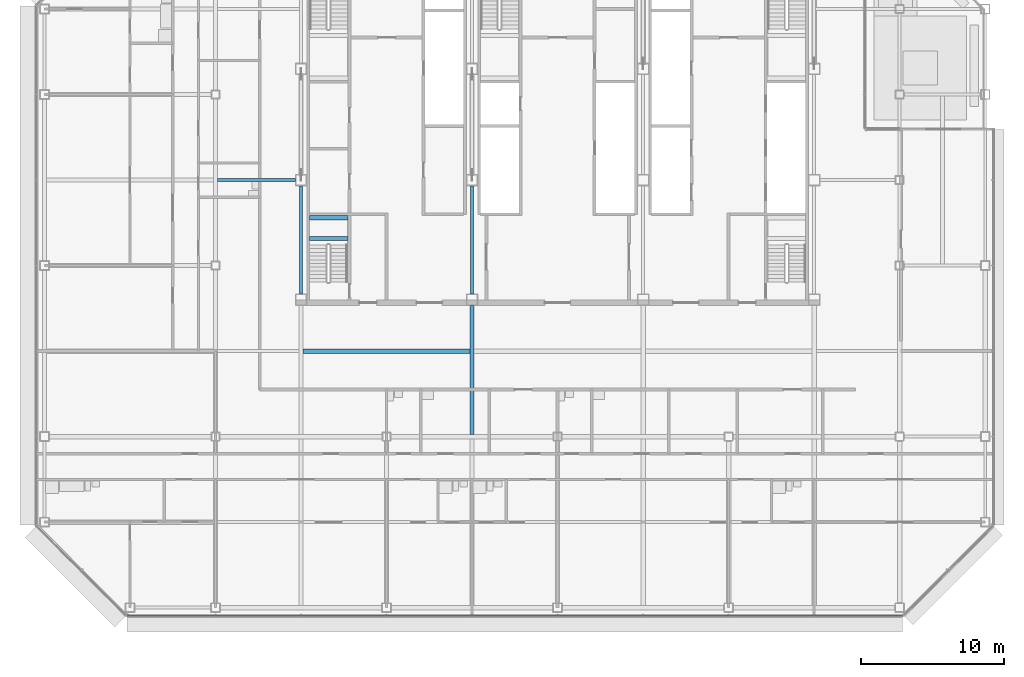
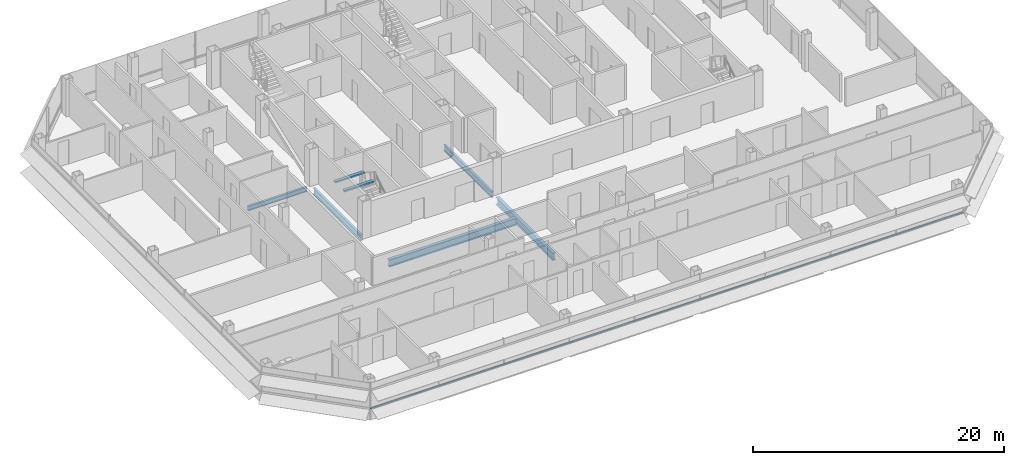
# One storey, part 7 of 29: 7 beams, 1 member, 1 element without a shape of its own.
"""IFC4 building model written with IfcOpenShell, lengths in metres."""

from ifc_helpers import new_model, si_unit, direction, frame, origin, origin_2d, place, context, subcontext, project, spatial, rectangle, i_section, extrude, material, material_profile, profile_set, type_object, element, aggregate, save


model = new_model("IFC4")

# Units and contexts
model_context = context("Model", 3, precision=1e-05, world=origin(), true_north=direction((0.0, 1.0)))
body_context = subcontext(model_context, "Body", "Model", "MODEL_VIEW")
ifc_project = project(units=[si_unit("LENGTHUNIT", "METRE"), si_unit("AREAUNIT", "SQUARE_METRE"), si_unit("VOLUMEUNIT", "CUBIC_METRE"), si_unit("PLANEANGLEUNIT", "RADIAN"), si_unit("MASSUNIT", "GRAM", prefix="KILO")], contexts=[model_context])

# Site, building, storey
site_placement = place(None, origin())
site = spatial("IfcSite", under=ifc_project, at=site_placement, CompositionType="ELEMENT")
building_placement = place(site_placement, origin())
building = spatial("IfcBuilding", under=site, at=building_placement, Name="Sorahane Residences", CompositionType="ELEMENT")
storey_placement = place(building_placement, frame((0.0, 0.0, 199.199951171875)))
storey = spatial("IfcBuildingStorey", under=building, at=storey_placement, Name="L46", CompositionType="ELEMENT", Elevation=199.199951171875)

# Curtain wall, member
ifc_material_1 = material(Name="Dark low-e glass and black anodised aluminium", Category="aluminium")
curtain_wall_type = type_object("IfcCurtainWallType", Name="Curtain wall CW-1 Typical unitised wall", PredefinedType="NOTDEFINED", material=ifc_material_1)
curtain_wall_placement = place(storey_placement, origin())
curtain_wall = element("IfcCurtainWall", 1, at=curtain_wall_placement, inside=storey, type_object=curtain_wall_type, Name="CW-1 curtain wall L46 S1", PredefinedType="NOTDEFINED")
ifc_material_2 = material(Name="Black anodised aluminium", Category="aluminium")
ifc_material_profile_1 = material_profile(ifc_material_2, rectangle(XDim=0.10009765625, YDim=0.06005859375, at=origin_2d()), Name="Curtain wall transom CW-1 black anodised aluminium 60x100")
ifc_profile_set_1 = profile_set([ifc_material_profile_1], Name="Black anodised aluminium")
member_type = type_object("IfcMemberType", Name="Curtain wall transom CW-1 black anodised aluminium 60x100", PredefinedType="USERDEFINED", material=ifc_profile_set_1)
member_placement = place(storey_placement, frame((-6.198486328125, -0.530029296875, 0.900146484375), z_axis=(1.0, 0.0, 0.0), x_axis=(0.0, 1.0, 0.0)))
member = element("IfcMember", 2, at=member_placement, type_object=member_type, Name="CW-1 transom L46 S1", ObjectType="TRANSOM", PredefinedType="USERDEFINED", context=body_context, shape_type="SweptSolid", body=[
    extrude(rectangle(XDim=0.10009765625, YDim=0.06005859375, at=origin_2d()), origin(), (0.0, 0.0, 1.0), 54.39697265625),
])
aggregate(curtain_wall, [member])

# Beams
ifc_material_3 = material(Name="Concrete C40", Category="concrete")
ifc_material_profile_2 = material_profile(ifc_material_3, rectangle(XDim=0.300048828125, YDim=0.139892578125, at=origin_2d()), Name="300x140")
ifc_profile_set_2 = profile_set([ifc_material_profile_2], Name="Concrete C40")
beam_type_1 = type_object("IfcBeamType", Name="RC landing beam 300 x 140 Concrete C40", PredefinedType="BEAM", material=ifc_profile_set_2)
for number, where, z_axis, x_axis, name in (
    (3, (6.60009765625, 25.89990234375, 1.530029296875), (1.0, 0.0, 0.0), (0.0, 1.0, 0.0), "Landing beam"),
    (4, (6.60009765625, 27.35009765625, 1.530029296875), (1.0, 0.0, 0.0), (0.0, 1.0, 0.0), "Landing beam"),
):
    element("IfcBeam", number, at=place(storey_placement, frame(where, z_axis=z_axis, x_axis=x_axis)), inside=storey, type_object=beam_type_1, Name=name, PredefinedType="BEAM", context=body_context, shape_type="SweptSolid", body=[
        extrude(rectangle(XDim=0.300048828125, YDim=0.139892578125, at=origin_2d()), origin(), (0.0, 0.0, 1.0), 2.699951171875),
    ])
ifc_material_4 = material(Name="Steel Q355B", Category="steel")
ifc_material_profile_3 = material_profile(ifc_material_4, i_section(OverallWidth=0.199951171875, OverallDepth=0.449951171875, WebThickness=0.009033203125, FlangeThickness=0.013916015625, FilletRadius=0.02001953125, at=origin_2d()), Name="HN 450x200x9x14")
ifc_profile_set_3 = profile_set([ifc_material_profile_3], Name="Steel Q355B")
beam_type_2 = type_object("IfcBeamType", Name="Steel floor beam HN 450x200x9x14 Q355B", PredefinedType="BEAM", material=ifc_profile_set_3)
beam_1_placement = place(storey_placement, frame((0.14990234375, 30.0, -0.405029296875), z_axis=(1.0, 0.0, 0.0), x_axis=(0.0, 1.0, 0.0)))
element("IfcBeam", 5, at=beam_1_placement, inside=storey, type_object=beam_type_2, Name="Beam L46 083", PredefinedType="BEAM", context=body_context, shape_type="SweptSolid", body=[
    extrude(i_section(OverallWidth=0.199951171875, OverallDepth=0.449951171875, WebThickness=0.009033203125, FlangeThickness=0.013916015625, FilletRadius=0.02001953125, at=origin_2d()), origin(), (0.0, 0.0, 1.0), 5.4501953125),
])
ifc_material_5 = material(Name="Steel Q355B", Category="steel")
ifc_material_profile_4 = material_profile(ifc_material_5, i_section(OverallWidth=0.199951171875, OverallDepth=0.60009765625, WebThickness=0.010986328125, FlangeThickness=0.01708984375, FilletRadius=0.02392578125, at=origin_2d()), Name="HN 600x200x11x17")
ifc_profile_set_4 = profile_set([ifc_material_profile_4], Name="Steel Q355B")
beam_type_3 = type_object("IfcBeamType", Name="Steel floor beam HN 600x200x11x17 Q355B", PredefinedType="BEAM", material=ifc_profile_set_4)
for number, where, z_axis, x_axis, name in (
    (6, (6.0, 22.0, -0.47998046875), (0.0, 1.0, 0.0), (-1.0, 0.0, 0.0), "Beam L46 029"),
    (7, (18.0, 22.0, -0.47998046875), (0.0, 1.0, 0.0), (-1.0, 0.0, 0.0), "Beam L46 037"),
):
    element("IfcBeam", number, at=place(storey_placement, frame(where, z_axis=z_axis, x_axis=x_axis)), inside=storey, type_object=beam_type_3, Name=name, PredefinedType="BEAM", context=body_context, shape_type="SweptSolid", body=[
        extrude(i_section(OverallWidth=0.199951171875, OverallDepth=0.60009765625, WebThickness=0.010986328125, FlangeThickness=0.01708984375, FilletRadius=0.02392578125, at=origin_2d()), origin(), (0.0, 0.0, 1.0), 7.60009765625),
    ])
ifc_material_6 = material(Name="Steel Q355B", Category="steel")
ifc_material_profile_5 = material_profile(ifc_material_6, i_section(OverallWidth=0.300048828125, OverallDepth=0.699951171875, WebThickness=0.012939453125, FlangeThickness=0.02392578125, FilletRadius=0.028076171875, at=origin_2d()), Name="HN 700x300x13x24")
ifc_profile_set_5 = profile_set([ifc_material_profile_5], Name="Steel Q355B")
beam_type_4 = type_object("IfcBeamType", Name="Steel floor beam HN 700x300x13x24 Q355B", PredefinedType="BEAM", material=ifc_profile_set_5)
beam_2_placement = place(storey_placement, frame((18.0, 12.14990234375, -0.530029296875), z_axis=(0.0, 1.0, 0.0), x_axis=(-1.0, 0.0, 0.0)))
element("IfcBeam", 8, at=beam_2_placement, inside=storey, type_object=beam_type_4, Name="Beam L46 036", PredefinedType="BEAM", context=body_context, shape_type="SweptSolid", body=[
    extrude(i_section(OverallWidth=0.300048828125, OverallDepth=0.699951171875, WebThickness=0.012939453125, FlangeThickness=0.02392578125, FilletRadius=0.028076171875, at=origin_2d()), origin(), (0.0, 0.0, 1.0), 9.050048828125),
])
beam_3_placement = place(storey_placement, frame((6.14990234375, 18.0, -0.530029296875), z_axis=(1.0, 0.0, 0.0), x_axis=(0.0, 1.0, 0.0)))
element("IfcBeam", 9, at=beam_3_placement, inside=storey, type_object=beam_type_4, Name="Beam L46 077", PredefinedType="BEAM", context=body_context, shape_type="SweptSolid", body=[
    extrude(i_section(OverallWidth=0.300048828125, OverallDepth=0.699951171875, WebThickness=0.012939453125, FlangeThickness=0.02392578125, FilletRadius=0.028076171875, at=origin_2d()), origin(), (0.0, 0.0, 1.0), 11.7001953125),
])

save(model, "model.ifc")
